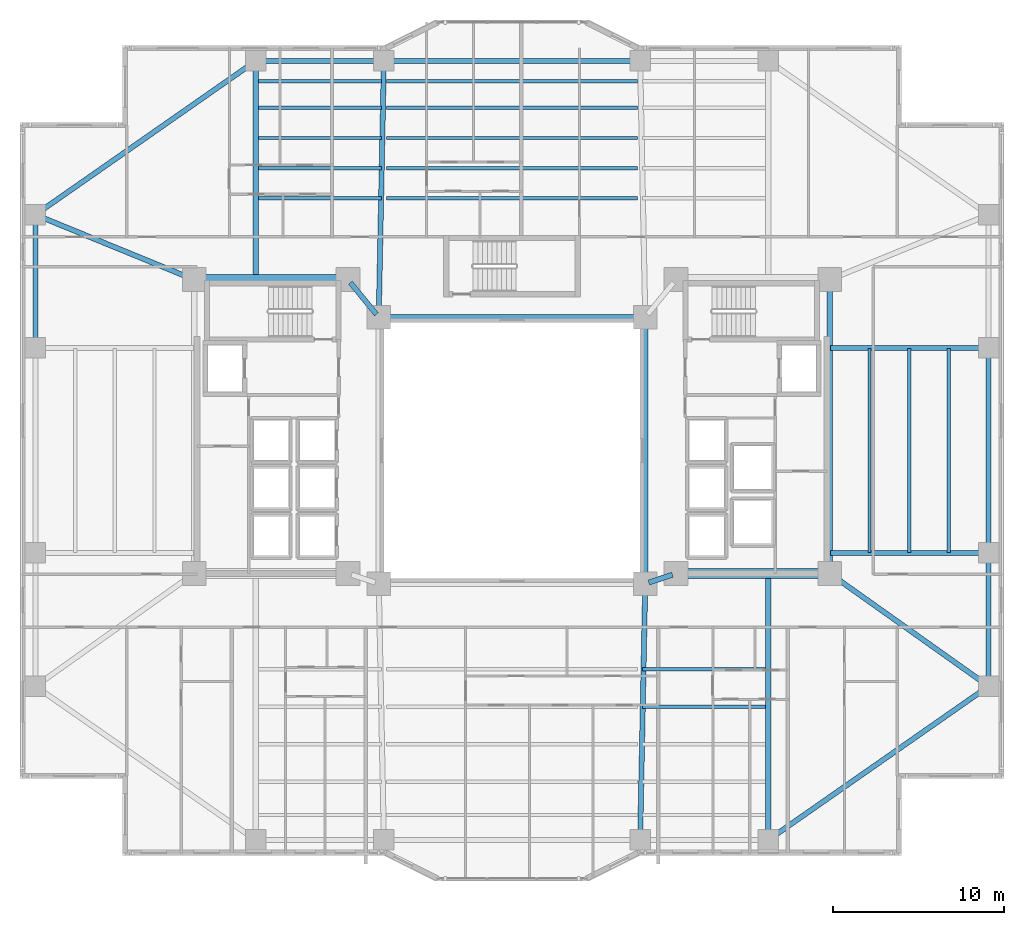
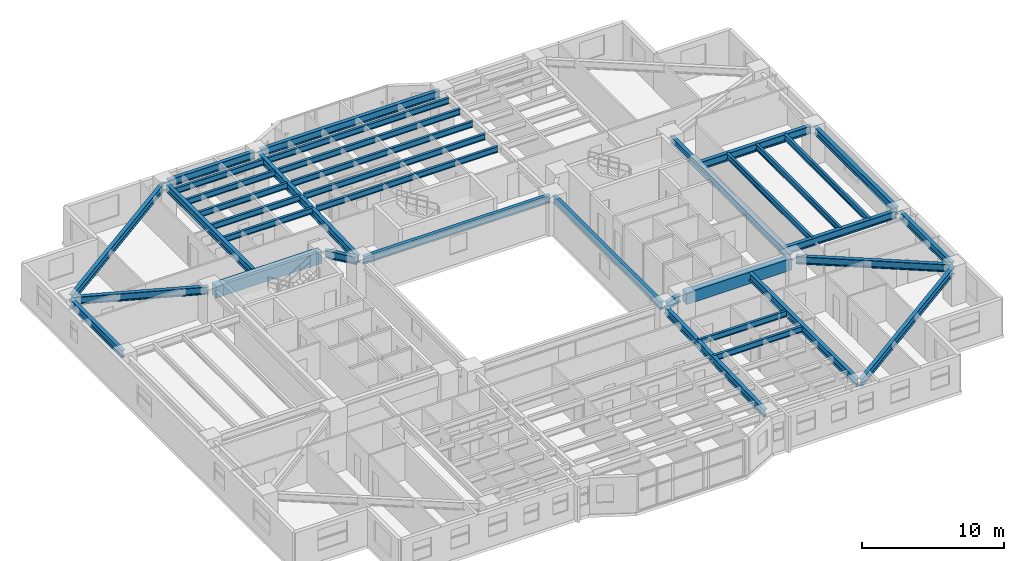
# One storey, part 5 of 21: 37 beams.
"""IFC4 building model written with IfcOpenShell, lengths in metres."""

from ifc_helpers import new_model, si_unit, direction, frame, origin, origin_2d, place, context, subcontext, project, spatial, rectangle, i_section, extrude, material, material_profile, profile_set, type_object, element, save


model = new_model("IFC4")

# Units and contexts
model_context = context("Model", 3, precision=1e-05, world=origin(), true_north=direction((0.0, 1.0)))
body_context = subcontext(model_context, "Body", "Model", "MODEL_VIEW")
ifc_project = project(units=[si_unit("LENGTHUNIT", "METRE"), si_unit("AREAUNIT", "SQUARE_METRE"), si_unit("VOLUMEUNIT", "CUBIC_METRE"), si_unit("PLANEANGLEUNIT", "RADIAN"), si_unit("MASSUNIT", "GRAM", prefix="KILO")], contexts=[model_context])

# Site, building, storey
site_placement = place(None, origin())
site = spatial("IfcSite", under=ifc_project, at=site_placement, CompositionType="ELEMENT")
building_placement = place(site_placement, origin())
building = spatial("IfcBuilding", under=site, at=building_placement, Name="Tarnavaz Court Tower", CompositionType="ELEMENT")
storey_placement = place(building_placement, frame((0.0, 0.0, 37.39990234375)))
storey = spatial("IfcBuildingStorey", under=building, at=storey_placement, Name="L09", CompositionType="ELEMENT", Elevation=37.39990234375)

# Beams
ifc_material_1 = material(Name="Concrete C60/75", Category="concrete")
ifc_material_profile_1 = material_profile(ifc_material_1, rectangle(XDim=0.60009765625, YDim=1.0, at=origin_2d()), Name="RC 600X1000")
ifc_profile_set_1 = profile_set([ifc_material_profile_1], Name="Concrete C60/75")
beam_type_1 = type_object("IfcBeamType", Name="BM-CB1000", PredefinedType="LINTEL", material=ifc_profile_set_1)
for number, where, z_axis, x_axis, name in (
    (1, (-18.3798828125, 10.0, 2.60009765625), (1.0, 0.0, 0.0), (0.0, 1.0, 0.0), "L09 Beam IN-CW-NO-CW-NI"),
    (2, (18.3798828125, -7.199951171875, 2.60009765625), (-1.0, 0.0, 0.0), (0.0, -1.0, 0.0), "L09 Beam IN-CE-SO-CE-SI"),
):
    element("IfcBeam", number, at=place(storey_placement, frame(where, z_axis=z_axis, x_axis=x_axis)), inside=storey, type_object=beam_type_1, Name=name, PredefinedType="LINTEL", context=body_context, shape_type="SweptSolid", body=[
        extrude(rectangle(XDim=0.60009765625, YDim=1.0, at=origin_2d()), origin(), (0.0, 0.0, 1.0), 8.559814453125),
    ])
ifc_material_2 = material(Name="Steel S355", Category="steel")
ifc_material_profile_2 = material_profile(ifc_material_2, i_section(OverallWidth=0.300048828125, OverallDepth=0.64990234375, WebThickness=0.01611328125, FlangeThickness=0.031005859375, FilletRadius=0.027099609375, at=origin_2d()), Name="HEB 650")
ifc_profile_set_2 = profile_set([ifc_material_profile_2], Name="Steel S355")
beam_type_2 = type_object("IfcBeamType", Name="BM-G-HEB650", PredefinedType="USERDEFINED", material=ifc_profile_set_2)
beam_1_placement = place(storey_placement, frame((9.391357421875, -7.26953125, 2.775146484375), z_axis=(-0.948666544706, -0.316278021615, 0.0), x_axis=(0.316278021615, -0.948666544706, 0.0)))
element("IfcBeam", 3, at=beam_1_placement, inside=storey, type_object=beam_type_2, Name="L09 Beam IN-CE-SI-IW-SE", ObjectType="GIRDER", PredefinedType="USERDEFINED", context=body_context, shape_type="SweptSolid", body=[
    extrude(i_section(OverallWidth=0.300048828125, OverallDepth=0.64990234375, WebThickness=0.01611328125, FlangeThickness=0.031005859375, FilletRadius=0.027099609375, at=origin_2d()), origin(), (0.0, 0.0, 1.0), 1.457275390625),
])
beam_2_placement = place(storey_placement, frame((-9.460693359375, 9.82958984375, 2.775146484375), z_axis=(0.633282058357, -0.773921077735, 0.0), x_axis=(0.773921077735, 0.633282058357, 0.0)))
element("IfcBeam", 4, at=beam_2_placement, inside=storey, type_object=beam_type_2, Name="L09 Beam IN-CW-NI-IW-NW", ObjectType="GIRDER", PredefinedType="USERDEFINED", context=body_context, shape_type="SweptSolid", body=[
    extrude(i_section(OverallWidth=0.300048828125, OverallDepth=0.64990234375, WebThickness=0.01611328125, FlangeThickness=0.031005859375, FilletRadius=0.027099609375, at=origin_2d()), origin(), (0.0, 0.0, 1.0), 2.402587890625),
])
beam_3_placement = place(storey_placement, frame((18.60009765625, -6.97998046875, 2.775146484375), z_axis=(0.0, 1.0, 0.0), x_axis=(-1.0, 0.0, 0.0)))
element("IfcBeam", 5, at=beam_3_placement, inside=storey, type_object=beam_type_2, Name="L09 Beam IN-CE-SO-CE-NO", ObjectType="GIRDER", PredefinedType="USERDEFINED", context=body_context, shape_type="SweptSolid", body=[
    extrude(i_section(OverallWidth=0.300048828125, OverallDepth=0.64990234375, WebThickness=0.01611328125, FlangeThickness=0.031005859375, FilletRadius=0.027099609375, at=origin_2d()), origin(), (0.0, 0.0, 1.0), 16.760009765625),
])
beam_4_placement = place(storey_placement, frame((-15.0, 10.0400390625, 2.775146484375), z_axis=(0.0, 1.0, 0.0), x_axis=(-1.0, 0.0, 0.0)))
element("IfcBeam", 6, at=beam_4_placement, inside=storey, type_object=beam_type_2, Name="L09 Beam RG-01", ObjectType="GIRDER", PredefinedType="USERDEFINED", context=body_context, shape_type="SweptSolid", body=[
    extrude(i_section(OverallWidth=0.300048828125, OverallDepth=0.64990234375, WebThickness=0.01611328125, FlangeThickness=0.031005859375, FilletRadius=0.027099609375, at=origin_2d()), origin(), (0.0, 0.0, 1.0), 12.5400390625),
])
for number, where, z_axis, x_axis, name in (
    (7, (-7.795654296875, 8.02001953125, 2.775146484375), (0.020000023066, 0.999799979535, 0.0), (-0.999799979535, 0.020000023066, 0.0), "L09 Beam RG-02"),
    (8, (7.795654296875, -8.02001953125, 2.775146484375), (-0.020000023066, -0.999799979535, 0.0), (0.999799979535, -0.020000023066, 0.0), "L09 Beam RG-07"),
):
    element("IfcBeam", number, at=place(storey_placement, frame(where, z_axis=z_axis, x_axis=x_axis)), inside=storey, type_object=beam_type_2, Name=name, ObjectType="GIRDER", PredefinedType="USERDEFINED", context=body_context, shape_type="SweptSolid", body=[
        extrude(i_section(OverallWidth=0.300048828125, OverallDepth=0.64990234375, WebThickness=0.01611328125, FlangeThickness=0.031005859375, FilletRadius=0.027099609375, at=origin_2d()), origin(), (0.0, 0.0, 1.0), 14.56298828125),
    ])
beam_5_placement = place(storey_placement, frame((15.0, -7.239990234375, 2.775146484375), z_axis=(0.0, -1.0, 0.0), x_axis=(1.0, 0.0, 0.0)))
element("IfcBeam", 9, at=beam_5_placement, inside=storey, type_object=beam_type_2, Name="L09 Beam RG-08", ObjectType="GIRDER", PredefinedType="USERDEFINED", context=body_context, shape_type="SweptSolid", body=[
    extrude(i_section(OverallWidth=0.300048828125, OverallDepth=0.64990234375, WebThickness=0.01611328125, FlangeThickness=0.031005859375, FilletRadius=0.027099609375, at=origin_2d()), origin(), (0.0, 0.0, 1.0), 15.340087890625),
])
for number, where, z_axis, x_axis, name in (
    (10, (18.639892578125, -6.0, 2.775146484375), (1.0, 0.0, 0.0), (0.0, 1.0, 0.0), "L09 Beam RG-09"),
    (11, (18.639892578125, 6.0, 2.775146484375), (1.0, 0.0, 0.0), (0.0, 1.0, 0.0), "L09 Beam RG-10"),
):
    element("IfcBeam", number, at=place(storey_placement, frame(where, z_axis=z_axis, x_axis=x_axis)), inside=storey, type_object=beam_type_2, Name=name, ObjectType="GIRDER", PredefinedType="USERDEFINED", context=body_context, shape_type="SweptSolid", body=[
        extrude(i_section(OverallWidth=0.300048828125, OverallDepth=0.64990234375, WebThickness=0.01611328125, FlangeThickness=0.031005859375, FilletRadius=0.027099609375, at=origin_2d()), origin(), (0.0, 0.0, 1.0), 9.0400390625),
    ])
beam_6_placement = place(storey_placement, frame((18.779296875, -7.327392578125, 2.775146484375), z_axis=(0.815520027245, -0.578728852886, 0.0), x_axis=(0.578728852886, 0.815520027245, 0.0)))
element("IfcBeam", 12, at=beam_6_placement, inside=storey, type_object=beam_type_2, Name="L09 Beam RG-11", ObjectType="GIRDER", PredefinedType="USERDEFINED", context=body_context, shape_type="SweptSolid", body=[
    extrude(i_section(OverallWidth=0.300048828125, OverallDepth=0.64990234375, WebThickness=0.01611328125, FlangeThickness=0.031005859375, FilletRadius=0.027099609375, at=origin_2d()), origin(), (0.0, 0.0, 1.0), 10.964111328125),
])
beam_7_placement = place(storey_placement, frame((-18.8037109375, 10.083251953125, 2.775146484375), z_axis=(-0.925704761705, 0.378246869329, 0.0), x_axis=(-0.378246869329, -0.925704761705, 0.0)))
element("IfcBeam", 13, at=beam_7_placement, inside=storey, type_object=beam_type_2, Name="L09 Beam RG-16", ObjectType="GIRDER", PredefinedType="USERDEFINED", context=body_context, shape_type="SweptSolid", body=[
    extrude(i_section(OverallWidth=0.300048828125, OverallDepth=0.64990234375, WebThickness=0.01611328125, FlangeThickness=0.031005859375, FilletRadius=0.027099609375, at=origin_2d()), origin(), (0.0, 0.0, 1.0), 9.606201171875),
])
ifc_material_profile_3 = material_profile(ifc_material_2, i_section(OverallWidth=0.199951171875, OverallDepth=0.5, WebThickness=0.01025390625, FlangeThickness=0.01611328125, FilletRadius=0.02099609375, at=origin_2d()), Name="IPE 500")
ifc_profile_set_3 = profile_set([ifc_material_profile_3], Name="Steel S355")
beam_type_3 = type_object("IfcBeamType", Name="BM-J-IPE500", PredefinedType="JOIST", material=ifc_profile_set_3)
beam_8_placement = place(storey_placement, frame((-14.85009765625, 14.763916015625, 2.85009765625), z_axis=(1.0, 0.0, 0.0), x_axis=(0.0, 1.0, 0.0)))
element("IfcBeam", 14, at=beam_8_placement, inside=storey, type_object=beam_type_3, Name="L09 Beam JN1-1", PredefinedType="JOIST", context=body_context, shape_type="SweptSolid", body=[
    extrude(i_section(OverallWidth=0.199951171875, OverallDepth=0.5, WebThickness=0.01025390625, FlangeThickness=0.01611328125, FilletRadius=0.02099609375, at=origin_2d()), origin(), (0.0, 0.0, 1.0), 7.2001953125),
])
beam_9_placement = place(storey_placement, frame((-7.35009765625, 14.763916015625, 2.85009765625), z_axis=(1.0, 0.0, 0.0), x_axis=(0.0, 1.0, 0.0)))
element("IfcBeam", 15, at=beam_9_placement, inside=storey, type_object=beam_type_3, Name="L09 Beam JN1-2", PredefinedType="JOIST", context=body_context, shape_type="SweptSolid", body=[
    extrude(i_section(OverallWidth=0.199951171875, OverallDepth=0.5, WebThickness=0.01025390625, FlangeThickness=0.01611328125, FilletRadius=0.02099609375, at=origin_2d()), origin(), (0.0, 0.0, 1.0), 14.7001953125),
])
for number, where, z_axis, x_axis, name in (
    (16, (7.64990234375, -12.7958984375, 2.85009765625), (1.0, 0.0, 0.0), (0.0, 1.0, 0.0), "L09 Beam JS1-3"),
    (17, (-14.85009765625, 16.528076171875, 2.85009765625), (1.0, 0.0, 0.0), (0.0, 1.0, 0.0), "L09 Beam JN2-1"),
):
    element("IfcBeam", number, at=place(storey_placement, frame(where, z_axis=z_axis, x_axis=x_axis)), inside=storey, type_object=beam_type_3, Name=name, PredefinedType="JOIST", context=body_context, shape_type="SweptSolid", body=[
        extrude(i_section(OverallWidth=0.199951171875, OverallDepth=0.5, WebThickness=0.01025390625, FlangeThickness=0.01611328125, FilletRadius=0.02099609375, at=origin_2d()), origin(), (0.0, 0.0, 1.0), 7.2001953125),
    ])
beam_10_placement = place(storey_placement, frame((-7.35009765625, 16.528076171875, 2.85009765625), z_axis=(1.0, 0.0, 0.0), x_axis=(0.0, 1.0, 0.0)))
element("IfcBeam", 18, at=beam_10_placement, inside=storey, type_object=beam_type_3, Name="L09 Beam JN2-2", PredefinedType="JOIST", context=body_context, shape_type="SweptSolid", body=[
    extrude(i_section(OverallWidth=0.199951171875, OverallDepth=0.5, WebThickness=0.01025390625, FlangeThickness=0.01611328125, FilletRadius=0.02099609375, at=origin_2d()), origin(), (0.0, 0.0, 1.0), 14.7001953125),
])
for number, where, z_axis, x_axis, name in (
    (19, (7.64990234375, -14.991943359375, 2.85009765625), (1.0, 0.0, 0.0), (0.0, 1.0, 0.0), "L09 Beam JS2-3"),
    (20, (-14.85009765625, 18.2919921875, 2.85009765625), (1.0, 0.0, 0.0), (0.0, 1.0, 0.0), "L09 Beam JN3-1"),
):
    element("IfcBeam", number, at=place(storey_placement, frame(where, z_axis=z_axis, x_axis=x_axis)), inside=storey, type_object=beam_type_3, Name=name, PredefinedType="JOIST", context=body_context, shape_type="SweptSolid", body=[
        extrude(i_section(OverallWidth=0.199951171875, OverallDepth=0.5, WebThickness=0.01025390625, FlangeThickness=0.01611328125, FilletRadius=0.02099609375, at=origin_2d()), origin(), (0.0, 0.0, 1.0), 7.2001953125),
    ])
beam_11_placement = place(storey_placement, frame((-7.35009765625, 18.2919921875, 2.85009765625), z_axis=(1.0, 0.0, 0.0), x_axis=(0.0, 1.0, 0.0)))
element("IfcBeam", 21, at=beam_11_placement, inside=storey, type_object=beam_type_3, Name="L09 Beam JN3-2", PredefinedType="JOIST", context=body_context, shape_type="SweptSolid", body=[
    extrude(i_section(OverallWidth=0.199951171875, OverallDepth=0.5, WebThickness=0.01025390625, FlangeThickness=0.01611328125, FilletRadius=0.02099609375, at=origin_2d()), origin(), (0.0, 0.0, 1.0), 14.7001953125),
])
beam_12_placement = place(storey_placement, frame((-14.85009765625, 20.055908203125, 2.85009765625), z_axis=(1.0, 0.0, 0.0), x_axis=(0.0, 1.0, 0.0)))
element("IfcBeam", 22, at=beam_12_placement, inside=storey, type_object=beam_type_3, Name="L09 Beam JN4-1", PredefinedType="JOIST", context=body_context, shape_type="SweptSolid", body=[
    extrude(i_section(OverallWidth=0.199951171875, OverallDepth=0.5, WebThickness=0.01025390625, FlangeThickness=0.01611328125, FilletRadius=0.02099609375, at=origin_2d()), origin(), (0.0, 0.0, 1.0), 7.2001953125),
])
beam_13_placement = place(storey_placement, frame((-7.35009765625, 20.055908203125, 2.85009765625), z_axis=(1.0, 0.0, 0.0), x_axis=(0.0, 1.0, 0.0)))
element("IfcBeam", 23, at=beam_13_placement, inside=storey, type_object=beam_type_3, Name="L09 Beam JN4-2", PredefinedType="JOIST", context=body_context, shape_type="SweptSolid", body=[
    extrude(i_section(OverallWidth=0.199951171875, OverallDepth=0.5, WebThickness=0.01025390625, FlangeThickness=0.01611328125, FilletRadius=0.02099609375, at=origin_2d()), origin(), (0.0, 0.0, 1.0), 14.7001953125),
])
beam_14_placement = place(storey_placement, frame((-14.85009765625, 21.6240234375, 2.85009765625), z_axis=(1.0, 0.0, 0.0), x_axis=(0.0, 1.0, 0.0)))
element("IfcBeam", 24, at=beam_14_placement, inside=storey, type_object=beam_type_3, Name="L09 Beam JN5-1", PredefinedType="JOIST", context=body_context, shape_type="SweptSolid", body=[
    extrude(i_section(OverallWidth=0.199951171875, OverallDepth=0.5, WebThickness=0.01025390625, FlangeThickness=0.01611328125, FilletRadius=0.02099609375, at=origin_2d()), origin(), (0.0, 0.0, 1.0), 7.2001953125),
])
beam_15_placement = place(storey_placement, frame((-7.35009765625, 21.6240234375, 2.85009765625), z_axis=(1.0, 0.0, 0.0), x_axis=(0.0, 1.0, 0.0)))
element("IfcBeam", 25, at=beam_15_placement, inside=storey, type_object=beam_type_3, Name="L09 Beam JN5-2", PredefinedType="JOIST", context=body_context, shape_type="SweptSolid", body=[
    extrude(i_section(OverallWidth=0.199951171875, OverallDepth=0.5, WebThickness=0.01025390625, FlangeThickness=0.01611328125, FilletRadius=0.02099609375, at=origin_2d()), origin(), (0.0, 0.0, 1.0), 14.7001953125),
])
for number, where, z_axis, x_axis, name in (
    (26, (20.925048828125, -5.9599609375, 2.85009765625), (0.0, 1.0, 0.0), (-1.0, 0.0, 0.0), "L09 Beam JE1"),
    (27, (23.25, -5.9599609375, 2.85009765625), (0.0, 1.0, 0.0), (-1.0, 0.0, 0.0), "L09 Beam JE2"),
    (28, (25.574951171875, -5.9599609375, 2.85009765625), (0.0, 1.0, 0.0), (-1.0, 0.0, 0.0), "L09 Beam JE3"),
):
    element("IfcBeam", number, at=place(storey_placement, frame(where, z_axis=z_axis, x_axis=x_axis)), inside=storey, type_object=beam_type_3, Name=name, PredefinedType="JOIST", context=body_context, shape_type="SweptSolid", body=[
        extrude(i_section(OverallWidth=0.199951171875, OverallDepth=0.5, WebThickness=0.01025390625, FlangeThickness=0.01611328125, FilletRadius=0.02099609375, at=origin_2d()), origin(), (0.0, 0.0, 1.0), 11.919921875),
    ])
ifc_material_profile_4 = material_profile(ifc_material_2, i_section(OverallWidth=0.300048828125, OverallDepth=0.639892578125, WebThickness=0.013427734375, FlangeThickness=0.02587890625, FilletRadius=0.027099609375, at=origin_2d()), Name="HEA 650")
ifc_profile_set_4 = profile_set([ifc_material_profile_4], Name="Steel S355")
beam_type_4 = type_object("IfcBeamType", Name="BM-SP-HEA650", PredefinedType="SPANDREL", material=ifc_profile_set_4)
for number, where, z_axis, x_axis, name in (
    (29, (-7.580078125, 7.800048828125, 2.780029296875), (1.0, 0.0, 0.0), (0.0, 1.0, 0.0), "L09 Beam IN-IW-NW-IW-NE"),
    (30, (7.800048828125, -7.580078125, 2.780029296875), (0.0, 1.0, 0.0), (-1.0, 0.0, 0.0), "L09 Beam IN-IW-SE-IW-NE"),
):
    element("IfcBeam", number, at=place(storey_placement, frame(where, z_axis=z_axis, x_axis=x_axis)), inside=storey, type_object=beam_type_4, Name=name, PredefinedType="SPANDREL", context=body_context, shape_type="SweptSolid", body=[
        extrude(i_section(OverallWidth=0.300048828125, OverallDepth=0.639892578125, WebThickness=0.013427734375, FlangeThickness=0.02587890625, FilletRadius=0.027099609375, at=origin_2d()), origin(), (0.0, 0.0, 1.0), 15.16015625),
    ])
beam_16_placement = place(storey_placement, frame((-14.780029296875, 22.800048828125, 2.780029296875), z_axis=(1.0, 0.0, 0.0), x_axis=(0.0, 1.0, 0.0)))
element("IfcBeam", 31, at=beam_16_placement, inside=storey, type_object=beam_type_4, Name="L09 Beam PR-PN-1-PN-2", PredefinedType="SPANDREL", context=body_context, shape_type="SweptSolid", body=[
    extrude(i_section(OverallWidth=0.300048828125, OverallDepth=0.639892578125, WebThickness=0.013427734375, FlangeThickness=0.02587890625, FilletRadius=0.027099609375, at=origin_2d()), origin(), (0.0, 0.0, 1.0), 7.06005859375),
])
beam_17_placement = place(storey_placement, frame((-7.280029296875, 22.800048828125, 2.780029296875), z_axis=(1.0, 0.0, 0.0), x_axis=(0.0, 1.0, 0.0)))
element("IfcBeam", 32, at=beam_17_placement, inside=storey, type_object=beam_type_4, Name="L09 Beam PR-PN-2-PN-3", PredefinedType="SPANDREL", context=body_context, shape_type="SweptSolid", body=[
    extrude(i_section(OverallWidth=0.300048828125, OverallDepth=0.639892578125, WebThickness=0.013427734375, FlangeThickness=0.02587890625, FilletRadius=0.027099609375, at=origin_2d()), origin(), (0.0, 0.0, 1.0), 14.56005859375),
])
beam_18_placement = place(storey_placement, frame((27.89990234375, -13.580078125, 2.780029296875), z_axis=(0.0, 1.0, 0.0), x_axis=(-1.0, 0.0, 0.0)))
element("IfcBeam", 33, at=beam_18_placement, inside=storey, type_object=beam_type_4, Name="L09 Beam PR-PE-1-PE-2", PredefinedType="SPANDREL", context=body_context, shape_type="SweptSolid", body=[
    extrude(i_section(OverallWidth=0.300048828125, OverallDepth=0.639892578125, WebThickness=0.013427734375, FlangeThickness=0.02587890625, FilletRadius=0.027099609375, at=origin_2d()), origin(), (0.0, 0.0, 1.0), 7.360107421875),
])
beam_19_placement = place(storey_placement, frame((27.89990234375, -5.780029296875, 2.780029296875), z_axis=(0.0, 1.0, 0.0), x_axis=(-1.0, 0.0, 0.0)))
element("IfcBeam", 34, at=beam_19_placement, inside=storey, type_object=beam_type_4, Name="L09 Beam PR-PE-2-PE-3", PredefinedType="SPANDREL", context=body_context, shape_type="SweptSolid", body=[
    extrude(i_section(OverallWidth=0.300048828125, OverallDepth=0.639892578125, WebThickness=0.013427734375, FlangeThickness=0.02587890625, FilletRadius=0.027099609375, at=origin_2d()), origin(), (0.0, 0.0, 1.0), 11.56005859375),
])
beam_20_placement = place(storey_placement, frame((-27.89990234375, 6.219970703125, 2.780029296875), z_axis=(0.0, 1.0, 0.0), x_axis=(-1.0, 0.0, 0.0)))
element("IfcBeam", 35, at=beam_20_placement, inside=storey, type_object=beam_type_4, Name="L09 Beam PR-PW-3-PW-4", PredefinedType="SPANDREL", context=body_context, shape_type="SweptSolid", body=[
    extrude(i_section(OverallWidth=0.300048828125, OverallDepth=0.639892578125, WebThickness=0.013427734375, FlangeThickness=0.02587890625, FilletRadius=0.027099609375, at=origin_2d()), origin(), (0.0, 0.0, 1.0), 7.360107421875),
])
for number, where, z_axis, x_axis, name in (
    (36, (27.719482421875, -13.92578125, 2.780029296875), (-0.820123643324, -0.572186341729, 0.0), (0.572186341729, -0.820123643324, 0.0), "L09 Beam PR-PE-1-PS-4"),
    (37, (-27.719482421875, 13.92578125, 2.780029296875), (0.820123643324, 0.572186341729, 0.0), (-0.572186341729, 0.820123643324, 0.0), "L09 Beam PR-PW-4-PN-1"),
):
    element("IfcBeam", number, at=place(storey_placement, frame(where, z_axis=z_axis, x_axis=x_axis)), inside=storey, type_object=beam_type_4, Name=name, PredefinedType="SPANDREL", context=body_context, shape_type="SweptSolid", body=[
        extrude(i_section(OverallWidth=0.300048828125, OverallDepth=0.639892578125, WebThickness=0.013427734375, FlangeThickness=0.02587890625, FilletRadius=0.027099609375, at=origin_2d()), origin(), (0.0, 0.0, 1.0), 15.289306640625),
    ])

save(model, "model.ifc")
